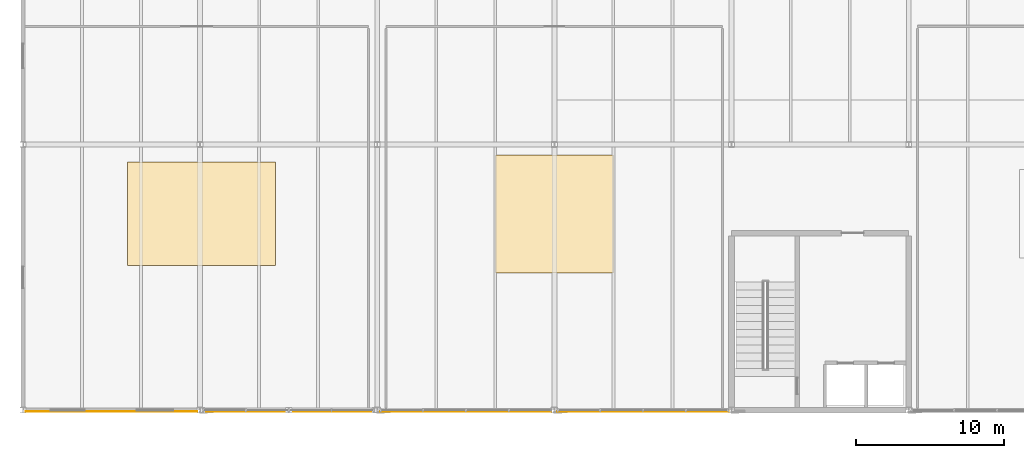
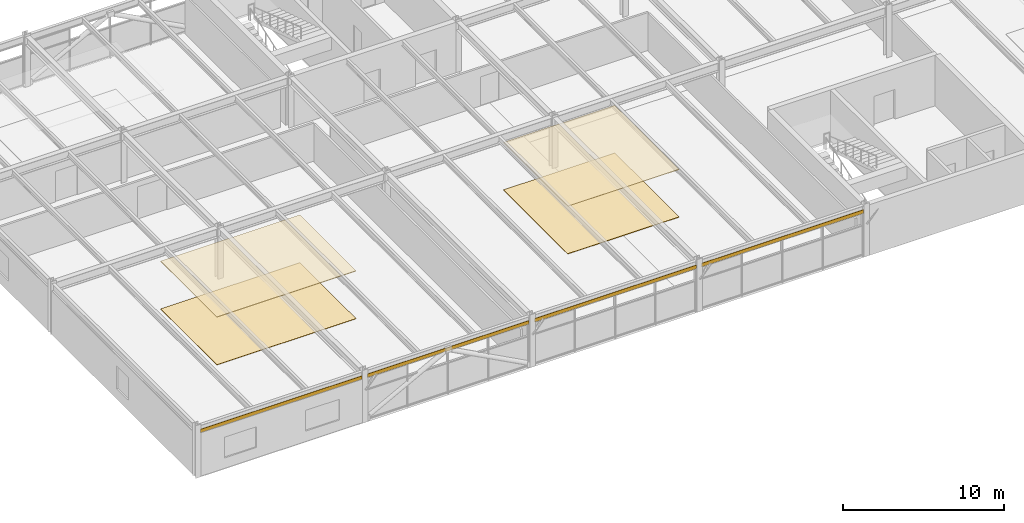
# One storey, part 45 of 49: 4 coverings, 4 shading devices.
"""IFC4 building model written with IfcOpenShell, lengths in metres."""

from ifc_helpers import new_model, si_unit, direction, frame, origin, origin_2d, place, context, subcontext, project, spatial, rectangle, extrude, material, layer, layer_set, type_object, element, save


model = new_model("IFC4")

# Units and contexts
model_context = context("Model", 3, precision=1e-05, world=origin(), true_north=direction((0.0, 1.0)))
body_context = subcontext(model_context, "Body", "Model", "MODEL_VIEW")
ifc_project = project(units=[si_unit("LENGTHUNIT", "METRE"), si_unit("AREAUNIT", "SQUARE_METRE"), si_unit("VOLUMEUNIT", "CUBIC_METRE"), si_unit("PLANEANGLEUNIT", "RADIAN"), si_unit("MASSUNIT", "GRAM", prefix="KILO")], contexts=[model_context])

# Site, building, storey
site_placement = place(None, origin())
site = spatial("IfcSite", under=ifc_project, at=site_placement, CompositionType="ELEMENT")
building_placement = place(site_placement, origin())
building = spatial("IfcBuilding", under=site, at=building_placement, Name="Girod Span Mobility Hub", CompositionType="ELEMENT")
storey_placement = place(building_placement, frame((0.0, 0.0, 37.60009765625)))
storey = spatial("IfcBuildingStorey", under=building, at=storey_placement, Name="L09", CompositionType="ELEMENT", Elevation=37.60009765625)

# Coverings
ifc_material_1 = material(Name="Perforated Mineral-Fibre Acoustic Ceiling Tile", Category="mineral")
ifc_layer_1 = layer(ifc_material_1, 0.050048828125)
ifc_layer_set_1 = layer_set([ifc_layer_1], Name="Perforated Mineral-Fibre Acoustic Ceiling Tile")
covering_type_1 = type_object("IfcCoveringType", Name="COV-CLG-1000X700", PredefinedType="CEILING", material=ifc_layer_set_1)
covering_1_placement = place(storey_placement, frame((36.10009765625, 40.300048828125, 3.60498046875), z_axis=(0.0, 0.0, 1.0), x_axis=(1.0, 0.0, 0.0)))
element("IfcCovering", 1, at=covering_1_placement, inside=storey, type_object=covering_type_1, Name="Office Suite South West L09 Acoustic Ceiling", PredefinedType="CEILING", context=body_context, shape_type="SweptSolid", body=[
    extrude(rectangle(XDim=10.0, YDim=7.0, at=origin_2d()), origin(), (0.0, 0.0, 1.0), 0.050048828125),
])
ifc_material_2 = material(Name="Perforated Mineral-Fibre Acoustic Ceiling Tile", Category="mineral")
ifc_layer_2 = layer(ifc_material_2, 0.0400390625)
ifc_layer_set_2 = layer_set([ifc_layer_2], Name="Perforated Mineral-Fibre Acoustic Ceiling Tile")
covering_type_2 = type_object("IfcCoveringType", Name="COV-CLG-800X800", PredefinedType="CEILING", material=ifc_layer_set_2)
covering_2_placement = place(storey_placement, frame((60.0, 40.300048828125, 3.60498046875), z_axis=(0.0, 0.0, 1.0), x_axis=(1.0, 0.0, 0.0)))
element("IfcCovering", 2, at=covering_2_placement, inside=storey, type_object=covering_type_2, Name="Conference Room West L09 Acoustic Ceiling", PredefinedType="CEILING", context=body_context, shape_type="SweptSolid", body=[
    extrude(rectangle(XDim=8.0, YDim=8.0, at=origin_2d()), origin(), (0.0, 0.0, 1.0), 0.0400390625),
])
ifc_material_3 = material(Name="Epoxy Terrazzo and Raised Access Flooring", Category="polymer")
ifc_layer_3 = layer(ifc_material_3, 0.02490234375)
ifc_layer_set_3 = layer_set([ifc_layer_3], Name="Epoxy Terrazzo and Raised Access Flooring")
covering_type_3 = type_object("IfcCoveringType", Name="COV-FLR-1000X700", PredefinedType="FLOORING", material=ifc_layer_set_3)
covering_3_placement = place(storey_placement, frame((36.10009765625, 40.300048828125, 0.0), z_axis=(0.0, 0.0, 1.0), x_axis=(1.0, 0.0, 0.0)))
element("IfcCovering", 3, at=covering_3_placement, inside=storey, type_object=covering_type_3, Name="Office Suite South West L09 Floor Finish", PredefinedType="FLOORING", context=body_context, shape_type="SweptSolid", body=[
    extrude(rectangle(XDim=10.0, YDim=7.0, at=origin_2d()), origin(), (0.0, 0.0, 1.0), 0.02490234375),
])
ifc_material_4 = material(Name="Epoxy Terrazzo and Raised Access Flooring", Category="polymer")
ifc_layer_4 = layer(ifc_material_4, 0.034912109375)
ifc_layer_set_4 = layer_set([ifc_layer_4], Name="Epoxy Terrazzo and Raised Access Flooring")
covering_type_4 = type_object("IfcCoveringType", Name="COV-FLR-800X800", PredefinedType="FLOORING", material=ifc_layer_set_4)
covering_4_placement = place(storey_placement, frame((60.0, 40.300048828125, 0.0), z_axis=(0.0, 0.0, 1.0), x_axis=(1.0, 0.0, 0.0)))
element("IfcCovering", 4, at=covering_4_placement, inside=storey, type_object=covering_type_4, Name="Conference Room West L09 Floor Finish", PredefinedType="FLOORING", context=body_context, shape_type="SweptSolid", body=[
    extrude(rectangle(XDim=8.0, YDim=8.0, at=origin_2d()), origin(), (0.0, 0.0, 1.0), 0.034912109375),
])

# Shading devices
ifc_material_5 = material(Name="Aluminium 6063-T6", Category="aluminium")
ifc_layer_5 = layer(ifc_material_5, 0.030029296875)
ifc_layer_set_5 = layer_set([ifc_layer_5], Name="Aluminium 6063-T6")
shading_device_type = type_object("IfcShadingDeviceType", Name="SHD-SHT-11610X260X30", PredefinedType="SHUTTER", material=ifc_layer_set_5)
for number, where, z_axis, x_axis, name in (
    (5, (30.0, 26.919921875, 3.27099609375), (0.0, 0.0, 1.0), (1.0, 0.0, 0.0), "External Solar Shading Blade 3 L09"),
    (6, (42.0, 26.919921875, 3.27099609375), (0.0, 0.0, 1.0), (1.0, 0.0, 0.0), "External Solar Shading Blade 4 L09"),
    (7, (54.0, 26.919921875, 3.27099609375), (0.0, 0.0, 1.0), (1.0, 0.0, 0.0), "External Solar Shading Blade 5 L09"),
    (8, (66.0, 26.919921875, 3.27099609375), (0.0, 0.0, 1.0), (1.0, 0.0, 0.0), "External Solar Shading Blade 6 L09"),
):
    element("IfcShadingDevice", number, at=place(storey_placement, frame(where, z_axis=z_axis, x_axis=x_axis)), inside=storey, type_object=shading_device_type, Name=name, PredefinedType="SHUTTER", context=body_context, shape_type="SweptSolid", body=[
        extrude(rectangle(XDim=11.610107421875, YDim=0.030029296875, at=origin_2d()), origin(), (0.0, 0.0, 1.0), 0.260009765625),
    ])

save(model, "model.ifc")
